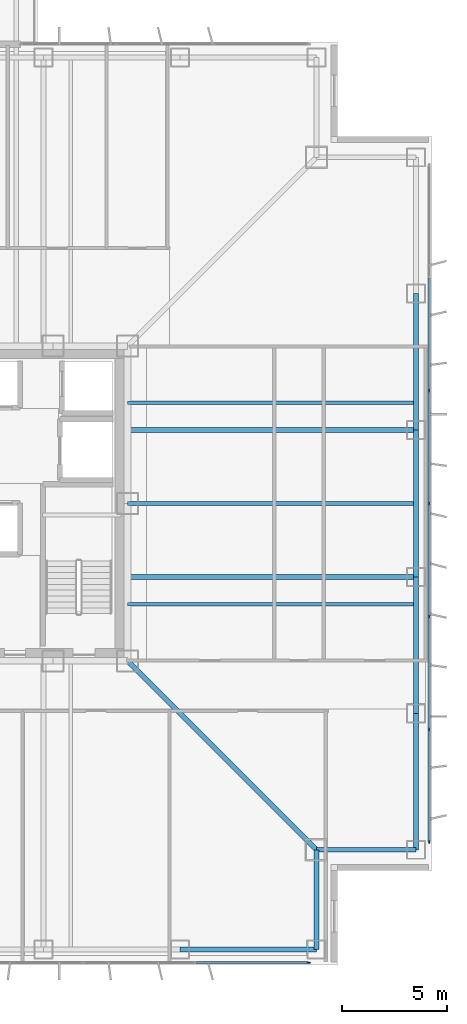
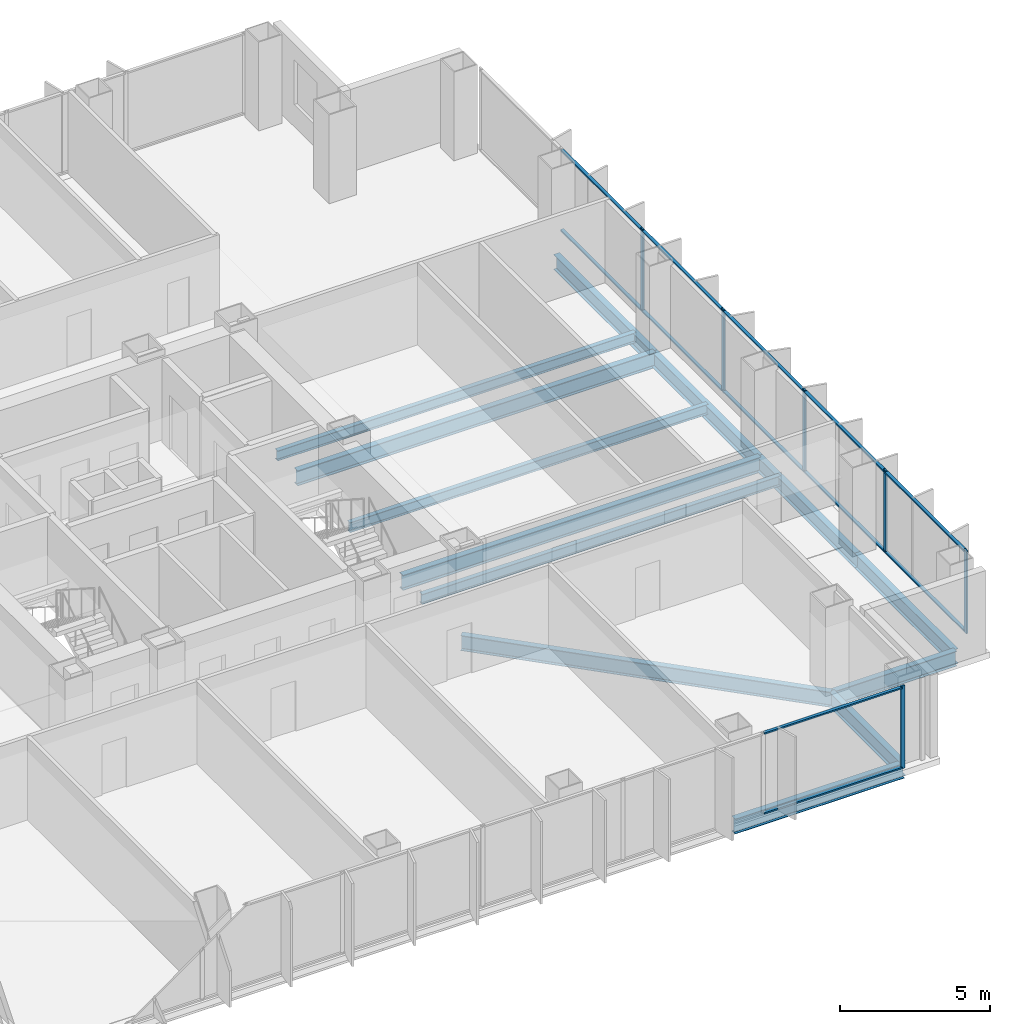
# One storey, part 6 of 15: 18 members, 13 beams, 2 elements without a shape of their own.
"""IFC4 building model written with IfcOpenShell, lengths in metres."""

from ifc_helpers import new_model, si_unit, direction, frame, origin, origin_2d, place, context, subcontext, project, spatial, rectangle, i_section, extrude, material, layer, layer_set, material_profile, profile_set, type_object, element, aggregate, save


model = new_model("IFC4")

# Units and contexts
model_context = context("Model", 3, precision=1e-05, world=origin(), true_north=direction((0.0, 1.0)))
body_context = subcontext(model_context, "Body", "Model", "MODEL_VIEW")
ifc_project = project(units=[si_unit("LENGTHUNIT", "METRE"), si_unit("AREAUNIT", "SQUARE_METRE"), si_unit("VOLUMEUNIT", "CUBIC_METRE"), si_unit("PLANEANGLEUNIT", "RADIAN"), si_unit("MASSUNIT", "GRAM", prefix="KILO")], contexts=[model_context])

# Site, building, storey
site_placement = place(None, origin())
site = spatial("IfcSite", under=ifc_project, at=site_placement, CompositionType="ELEMENT")
building_placement = place(site_placement, origin())
building = spatial("IfcBuilding", under=site, at=building_placement, Name="Trevonay Congress Spire", CompositionType="ELEMENT")
storey_placement = place(building_placement, frame((0.0, 0.0, 115.60009765625)))
storey = spatial("IfcBuildingStorey", under=building, at=storey_placement, Name="L29", CompositionType="ELEMENT", Elevation=115.60009765625)

# Beams
ifc_material_1 = material(Name="Steel ASTM A572 Grade 50", Category="steel")
ifc_material_profile_1 = material_profile(ifc_material_1, i_section(OverallWidth=0.22998046875, OverallDepth=0.616943359375, WebThickness=0.01318359375, FlangeThickness=0.022216796875, FilletRadius=0.01611328125, at=origin_2d()), Name="W610x140")
ifc_profile_set_1 = profile_set([ifc_material_profile_1], Name="Steel ASTM A572 Grade 50")
beam_type_1 = type_object("IfcBeamType", Name="BM-GIRD-W610X140", PredefinedType="BEAM", material=ifc_profile_set_1)
beam_1_placement = place(storey_placement, frame((7.5, -7.5, -0.548583984375), z_axis=(0.707106781187, -0.707106781187, 0.0), x_axis=(0.707106781187, 0.707106781187, 0.0)))
element("IfcBeam", 1, at=beam_1_placement, inside=storey, type_object=beam_type_1, Name="L29 structural beam BM-L29-CDSE", PredefinedType="BEAM", context=body_context, shape_type="SweptSolid", body=[
    extrude(i_section(OverallWidth=0.22998046875, OverallDepth=0.616943359375, WebThickness=0.01318359375, FlangeThickness=0.022216796875, FilletRadius=0.01611328125, at=origin_2d()), origin(), (0.0, 0.0, 1.0), 12.72802734375),
])
for number, where, z_axis, x_axis, name in (
    (2, (7.5, -3.5, -0.548583984375), (1.0, 0.0, 0.0), (0.0, 1.0, 0.0), "L29 structural beam BM-L29-GE-M"),
    (3, (7.5, 3.5, -0.548583984375), (1.0, 0.0, 0.0), (0.0, 1.0, 0.0), "L29 structural beam BM-L29-GE-P"),
):
    element("IfcBeam", number, at=place(storey_placement, frame(where, z_axis=z_axis, x_axis=x_axis)), inside=storey, type_object=beam_type_1, Name=name, PredefinedType="BEAM", context=body_context, shape_type="SweptSolid", body=[
        extrude(i_section(OverallWidth=0.22998046875, OverallDepth=0.616943359375, WebThickness=0.01318359375, FlangeThickness=0.022216796875, FilletRadius=0.01611328125, at=origin_2d()), origin(), (0.0, 0.0, 1.0), 13.75),
    ])
ifc_material_profile_2 = material_profile(ifc_material_1, i_section(OverallWidth=0.22802734375, OverallDepth=0.60791015625, WebThickness=0.01123046875, FlangeThickness=0.017333984375, FilletRadius=0.01611328125, at=origin_2d()), Name="W610x113")
ifc_profile_set_2 = profile_set([ifc_material_profile_2], Name="Steel ASTM A572 Grade 50")
beam_type_2 = type_object("IfcBeamType", Name="BM-RING-W610X113", PredefinedType="BEAM", material=ifc_profile_set_2)
for number, where, z_axis, x_axis, name in (
    (4, (21.25, -16.5, -0.544189453125), (0.0, 1.0, 0.0), (-1.0, 0.0, 0.0), "L29 structural beam BM-L29-PE1"),
    (5, (21.25, -10.0, -0.544189453125), (0.0, 1.0, 0.0), (-1.0, 0.0, 0.0), "L29 structural beam BM-L29-PE2"),
):
    element("IfcBeam", number, at=place(storey_placement, frame(where, z_axis=z_axis, x_axis=x_axis)), inside=storey, type_object=beam_type_2, Name=name, PredefinedType="BEAM", context=body_context, shape_type="SweptSolid", body=[
        extrude(i_section(OverallWidth=0.22802734375, OverallDepth=0.60791015625, WebThickness=0.01123046875, FlangeThickness=0.017333984375, FilletRadius=0.01611328125, at=origin_2d()), origin(), (0.0, 0.0, 1.0), 6.5),
    ])
beam_2_placement = place(storey_placement, frame((21.25, -3.5, -0.544189453125), z_axis=(0.0, 1.0, 0.0), x_axis=(-1.0, 0.0, 0.0)))
element("IfcBeam", 6, at=beam_2_placement, inside=storey, type_object=beam_type_2, Name="L29 structural beam BM-L29-PE3", PredefinedType="BEAM", context=body_context, shape_type="SweptSolid", body=[
    extrude(i_section(OverallWidth=0.22802734375, OverallDepth=0.60791015625, WebThickness=0.01123046875, FlangeThickness=0.017333984375, FilletRadius=0.01611328125, at=origin_2d()), origin(), (0.0, 0.0, 1.0), 7.0),
])
for number, where, z_axis, x_axis, name in (
    (7, (21.25, 3.5, -0.544189453125), (0.0, 1.0, 0.0), (-1.0, 0.0, 0.0), "L29 structural beam BM-L29-PE4"),
    (8, (10.0, -21.25, -0.544189453125), (1.0, 0.0, 0.0), (0.0, 1.0, 0.0), "L29 structural beam BM-L29-PS5"),
):
    element("IfcBeam", number, at=place(storey_placement, frame(where, z_axis=z_axis, x_axis=x_axis)), inside=storey, type_object=beam_type_2, Name=name, PredefinedType="BEAM", context=body_context, shape_type="SweptSolid", body=[
        extrude(i_section(OverallWidth=0.22802734375, OverallDepth=0.60791015625, WebThickness=0.01123046875, FlangeThickness=0.017333984375, FilletRadius=0.01611328125, at=origin_2d()), origin(), (0.0, 0.0, 1.0), 6.5),
    ])
for number, where, z_axis, x_axis, name in (
    (9, (16.5, -21.25, -0.544189453125), (0.0, 1.0, 0.0), (-1.0, 0.0, 0.0), "L29 structural beam BM-L29-N1SE"),
    (10, (21.25, -16.5, -0.544189453125), (-1.0, 0.0, 0.0), (0.0, -1.0, 0.0), "L29 structural beam BM-L29-N2SE"),
):
    element("IfcBeam", number, at=place(storey_placement, frame(where, z_axis=z_axis, x_axis=x_axis)), inside=storey, type_object=beam_type_2, Name=name, PredefinedType="BEAM", context=body_context, shape_type="SweptSolid", body=[
        extrude(i_section(OverallWidth=0.22802734375, OverallDepth=0.60791015625, WebThickness=0.01123046875, FlangeThickness=0.017333984375, FilletRadius=0.01611328125, at=origin_2d()), origin(), (0.0, 0.0, 1.0), 4.75),
    ])

# Curtain wall, member
ifc_material_2 = material(Name="Pale Anodised Aluminium EN AW-6063-T6", Category="aluminium")
ifc_layer = layer(ifc_material_2, 0.175048828125, Name="Pale Anodised Aluminium EN AW-6063-T6")
ifc_layer_set = layer_set([ifc_layer], Name="Pale Anodised Aluminium EN AW-6063-T6")
curtain_wall_type = type_object("IfcCurtainWallType", Name="CW-SYS03-CONGRESS-PALE-METAL", PredefinedType="NOTDEFINED", material=ifc_layer_set)
curtain_wall_1_placement = place(storey_placement, origin())
curtain_wall_1 = element("IfcCurtainWall", 11, at=curtain_wall_1_placement, inside=storey, type_object=curtain_wall_type, Name="L29 S unitised curtain wall", PredefinedType="NOTDEFINED")
ifc_material_profile_3 = material_profile(ifc_material_2, rectangle(XDim=0.06005859375, YDim=0.159912109375, at=origin_2d()), Name="CW-MULLION-160-ALUMINIUM")
ifc_profile_set_3 = profile_set([ifc_material_profile_3], Name="Pale Anodised Aluminium EN AW-6063-T6")
member_type_1 = type_object("IfcMemberType", Name="CW-MULLION-160-ALUMINIUM", PredefinedType="MULLION", material=ifc_profile_set_3)
member_1_placement = place(storey_placement, frame((16.1201171875, -21.8798828125, 0.0), z_axis=(0.0, 0.0, 1.0), x_axis=(0.0, 1.0, 0.0)))
member_1 = element("IfcMember", 12, at=member_1_placement, type_object=member_type_1, Name="CW03 mullion 7", PredefinedType="MULLION", context=body_context, shape_type="SweptSolid", body=[
    extrude(rectangle(XDim=0.06005859375, YDim=0.159912109375, at=origin_2d()), origin(), (0.0, 0.0, 1.0), 3.35986328125),
])

# Curtain wall, members
curtain_wall_2_placement = place(storey_placement, origin())
curtain_wall_2 = element("IfcCurtainWall", 13, at=curtain_wall_2_placement, inside=storey, type_object=curtain_wall_type, Name="L29 E unitised curtain wall", PredefinedType="NOTDEFINED")
member_2_placement = place(storey_placement, frame((21.8798828125, -16.1201171875, 0.0), z_axis=(0.0, 0.0, 1.0), x_axis=(-1.0, 0.0, 0.0)))
member_2 = element("IfcMember", 14, at=member_2_placement, type_object=member_type_1, Name="CW03 mullion 1", PredefinedType="MULLION", context=body_context, shape_type="SweptSolid", body=[
    extrude(rectangle(XDim=0.06005859375, YDim=0.159912109375, at=origin_2d()), origin(), (0.0, 0.0, 1.0), 3.35986328125),
])
member_3_placement = place(storey_placement, frame((21.8798828125, -10.7666015625, 0.0), z_axis=(0.0, 0.0, 1.0), x_axis=(-1.0, 0.0, 0.0)))
member_3 = element("IfcMember", 15, at=member_3_placement, type_object=member_type_1, Name="CW03 mullion 2", PredefinedType="MULLION", context=body_context, shape_type="SweptSolid", body=[
    extrude(rectangle(XDim=0.06005859375, YDim=0.159912109375, at=origin_2d()), origin(), (0.0, 0.0, 1.0), 3.35986328125),
])
member_4_placement = place(storey_placement, frame((21.8798828125, -5.38330078125, 0.0), z_axis=(0.0, 0.0, 1.0), x_axis=(-1.0, 0.0, 0.0)))
member_4 = element("IfcMember", 16, at=member_4_placement, type_object=member_type_1, Name="CW03 mullion 3", PredefinedType="MULLION", context=body_context, shape_type="SweptSolid", body=[
    extrude(rectangle(XDim=0.06005859375, YDim=0.159912109375, at=origin_2d()), origin(), (0.0, 0.0, 1.0), 3.35986328125),
])
member_5_placement = place(storey_placement, frame((21.8798828125, 0.0, 0.0), z_axis=(0.0, 0.0, 1.0), x_axis=(-1.0, 0.0, 0.0)))
member_5 = element("IfcMember", 17, at=member_5_placement, type_object=member_type_1, Name="CW03 mullion 4", PredefinedType="MULLION", context=body_context, shape_type="SweptSolid", body=[
    extrude(rectangle(XDim=0.06005859375, YDim=0.159912109375, at=origin_2d()), origin(), (0.0, 0.0, 1.0), 3.35986328125),
])
member_6_placement = place(storey_placement, frame((21.8798828125, 5.38330078125, 0.0), z_axis=(0.0, 0.0, 1.0), x_axis=(-1.0, 0.0, 0.0)))
member_6 = element("IfcMember", 18, at=member_6_placement, type_object=member_type_1, Name="CW03 mullion 5", PredefinedType="MULLION", context=body_context, shape_type="SweptSolid", body=[
    extrude(rectangle(XDim=0.06005859375, YDim=0.159912109375, at=origin_2d()), origin(), (0.0, 0.0, 1.0), 3.35986328125),
])

# Member
ifc_material_profile_4 = material_profile(ifc_material_2, rectangle(XDim=0.1201171875, YDim=0.06005859375, at=origin_2d()), Name="CW-TRANSOM-120-ALUMINIUM")
ifc_profile_set_4 = profile_set([ifc_material_profile_4], Name="Pale Anodised Aluminium EN AW-6063-T6")
member_type_2 = type_object("IfcMemberType", Name="CW-TRANSOM-120-ALUMINIUM", PredefinedType="USERDEFINED", material=ifc_profile_set_4)
member_7_placement = place(storey_placement, frame((10.796630859375, -21.8798828125, 0.059814453125), z_axis=(1.0, 0.0, 0.0), x_axis=(0.0, 1.0, 0.0)))
member_7 = element("IfcMember", 19, at=member_7_placement, type_object=member_type_2, Name="CW03 transom 6.1", ObjectType="TRANSOM", PredefinedType="USERDEFINED", context=body_context, shape_type="SweptSolid", body=[
    extrude(rectangle(XDim=0.1201171875, YDim=0.06005859375, at=origin_2d()), origin(), (0.0, 0.0, 1.0), 5.29345703125),
])

member_8_placement = place(storey_placement, frame((10.796630859375, -21.8798828125, 3.2998046875), z_axis=(1.0, 0.0, 0.0), x_axis=(0.0, 1.0, 0.0)))
member_8 = element("IfcMember", 20, at=member_8_placement, type_object=member_type_2, Name="CW03 transom 6.2", ObjectType="TRANSOM", PredefinedType="USERDEFINED", context=body_context, shape_type="SweptSolid", body=[
    extrude(rectangle(XDim=0.1201171875, YDim=0.06005859375, at=origin_2d()), origin(), (0.0, 0.0, 1.0), 5.29345703125),
])

aggregate(curtain_wall_1, [member_1, member_7, member_8])

member_9_placement = place(storey_placement, frame((21.8798828125, -16.090087890625, 0.059814453125), z_axis=(0.0, 1.0, 0.0), x_axis=(-1.0, 0.0, 0.0)))
member_9 = element("IfcMember", 21, at=member_9_placement, type_object=member_type_2, Name="CW03 transom 1.1", ObjectType="TRANSOM", PredefinedType="USERDEFINED", context=body_context, shape_type="SweptSolid", body=[
    extrude(rectangle(XDim=0.1201171875, YDim=0.06005859375, at=origin_2d()), origin(), (0.0, 0.0, 1.0), 5.29345703125),
])

member_10_placement = place(storey_placement, frame((21.8798828125, -16.090087890625, 3.2998046875), z_axis=(0.0, 1.0, 0.0), x_axis=(-1.0, 0.0, 0.0)))
member_10 = element("IfcMember", 22, at=member_10_placement, type_object=member_type_2, Name="CW03 transom 1.2", ObjectType="TRANSOM", PredefinedType="USERDEFINED", context=body_context, shape_type="SweptSolid", body=[
    extrude(rectangle(XDim=0.1201171875, YDim=0.06005859375, at=origin_2d()), origin(), (0.0, 0.0, 1.0), 5.29345703125),
])

member_11_placement = place(storey_placement, frame((21.8798828125, -10.736572265625, 0.059814453125), z_axis=(0.0, 1.0, 0.0), x_axis=(-1.0, 0.0, 0.0)))
member_11 = element("IfcMember", 23, at=member_11_placement, type_object=member_type_2, Name="CW03 transom 2.1", ObjectType="TRANSOM", PredefinedType="USERDEFINED", context=body_context, shape_type="SweptSolid", body=[
    extrude(rectangle(XDim=0.1201171875, YDim=0.06005859375, at=origin_2d()), origin(), (0.0, 0.0, 1.0), 5.3232421875),
])

member_12_placement = place(storey_placement, frame((21.8798828125, -10.736572265625, 3.2998046875), z_axis=(0.0, 1.0, 0.0), x_axis=(-1.0, 0.0, 0.0)))
member_12 = element("IfcMember", 24, at=member_12_placement, type_object=member_type_2, Name="CW03 transom 2.2", ObjectType="TRANSOM", PredefinedType="USERDEFINED", context=body_context, shape_type="SweptSolid", body=[
    extrude(rectangle(XDim=0.1201171875, YDim=0.06005859375, at=origin_2d()), origin(), (0.0, 0.0, 1.0), 5.3232421875),
])

member_13_placement = place(storey_placement, frame((21.8798828125, -5.353271484375, 0.059814453125), z_axis=(0.0, 1.0, 0.0), x_axis=(-1.0, 0.0, 0.0)))
member_13 = element("IfcMember", 25, at=member_13_placement, type_object=member_type_2, Name="CW03 transom 3.1", ObjectType="TRANSOM", PredefinedType="USERDEFINED", context=body_context, shape_type="SweptSolid", body=[
    extrude(rectangle(XDim=0.1201171875, YDim=0.06005859375, at=origin_2d()), origin(), (0.0, 0.0, 1.0), 5.3232421875),
])

member_14_placement = place(storey_placement, frame((21.8798828125, -5.353271484375, 3.2998046875), z_axis=(0.0, 1.0, 0.0), x_axis=(-1.0, 0.0, 0.0)))
member_14 = element("IfcMember", 26, at=member_14_placement, type_object=member_type_2, Name="CW03 transom 3.2", ObjectType="TRANSOM", PredefinedType="USERDEFINED", context=body_context, shape_type="SweptSolid", body=[
    extrude(rectangle(XDim=0.1201171875, YDim=0.06005859375, at=origin_2d()), origin(), (0.0, 0.0, 1.0), 5.3232421875),
])

member_15_placement = place(storey_placement, frame((21.8798828125, 0.030029296875, 0.059814453125), z_axis=(0.0, 1.0, 0.0), x_axis=(-1.0, 0.0, 0.0)))
member_15 = element("IfcMember", 27, at=member_15_placement, type_object=member_type_2, Name="CW03 transom 4.1", ObjectType="TRANSOM", PredefinedType="USERDEFINED", context=body_context, shape_type="SweptSolid", body=[
    extrude(rectangle(XDim=0.1201171875, YDim=0.06005859375, at=origin_2d()), origin(), (0.0, 0.0, 1.0), 5.3232421875),
])

member_16_placement = place(storey_placement, frame((21.8798828125, 0.030029296875, 3.2998046875), z_axis=(0.0, 1.0, 0.0), x_axis=(-1.0, 0.0, 0.0)))
member_16 = element("IfcMember", 28, at=member_16_placement, type_object=member_type_2, Name="CW03 transom 4.2", ObjectType="TRANSOM", PredefinedType="USERDEFINED", context=body_context, shape_type="SweptSolid", body=[
    extrude(rectangle(XDim=0.1201171875, YDim=0.06005859375, at=origin_2d()), origin(), (0.0, 0.0, 1.0), 5.3232421875),
])

member_17_placement = place(storey_placement, frame((21.8798828125, 5.413330078125, 0.059814453125), z_axis=(0.0, 1.0, 0.0), x_axis=(-1.0, 0.0, 0.0)))
member_17 = element("IfcMember", 29, at=member_17_placement, type_object=member_type_2, Name="CW03 transom 5.1", ObjectType="TRANSOM", PredefinedType="USERDEFINED", context=body_context, shape_type="SweptSolid", body=[
    extrude(rectangle(XDim=0.1201171875, YDim=0.06005859375, at=origin_2d()), origin(), (0.0, 0.0, 1.0), 5.3232421875),
])

member_18_placement = place(storey_placement, frame((21.8798828125, 5.413330078125, 3.2998046875), z_axis=(0.0, 1.0, 0.0), x_axis=(-1.0, 0.0, 0.0)))
member_18 = element("IfcMember", 30, at=member_18_placement, type_object=member_type_2, Name="CW03 transom 5.2", ObjectType="TRANSOM", PredefinedType="USERDEFINED", context=body_context, shape_type="SweptSolid", body=[
    extrude(rectangle(XDim=0.1201171875, YDim=0.06005859375, at=origin_2d()), origin(), (0.0, 0.0, 1.0), 5.3232421875),
])

aggregate(curtain_wall_2, [member_2, member_3, member_4, member_5, member_6, member_9, member_10, member_11, member_12, member_13, member_14, member_15, member_16, member_17, member_18])

# Beams
ifc_material_profile_5 = material_profile(ifc_material_1, i_section(OverallWidth=0.177978515625, OverallDepth=0.406982421875, WebThickness=0.0078125, FlangeThickness=0.0126953125, FilletRadius=0.012939453125, at=origin_2d()), Name="W410x60")
ifc_profile_set_5 = profile_set([ifc_material_profile_5], Name="Steel ASTM A572 Grade 50")
beam_type_3 = type_object("IfcBeamType", Name="JS-COMP-W410X60", PredefinedType="JOIST", material=ifc_profile_set_5)
for number, where, z_axis, x_axis, name in (
    (31, (7.5, -4.800048828125, -0.443603515625), (1.0, 0.0, 0.0), (0.0, 1.0, 0.0), "L29 structural beam JS-L29-EW-E1"),
    (32, (7.5, 0.0, -0.443603515625), (1.0, 0.0, 0.0), (0.0, 1.0, 0.0), "L29 structural beam JS-L29-EW-E2"),
    (33, (7.5, 4.800048828125, -0.443603515625), (1.0, 0.0, 0.0), (0.0, 1.0, 0.0), "L29 structural beam JS-L29-EW-E3"),
):
    element("IfcBeam", number, at=place(storey_placement, frame(where, z_axis=z_axis, x_axis=x_axis)), inside=storey, type_object=beam_type_3, Name=name, PredefinedType="JOIST", context=body_context, shape_type="SweptSolid", body=[
        extrude(i_section(OverallWidth=0.177978515625, OverallDepth=0.406982421875, WebThickness=0.0078125, FlangeThickness=0.0126953125, FilletRadius=0.012939453125, at=origin_2d()), origin(), (0.0, 0.0, 1.0), 13.75),
    ])

save(model, "model.ifc")
